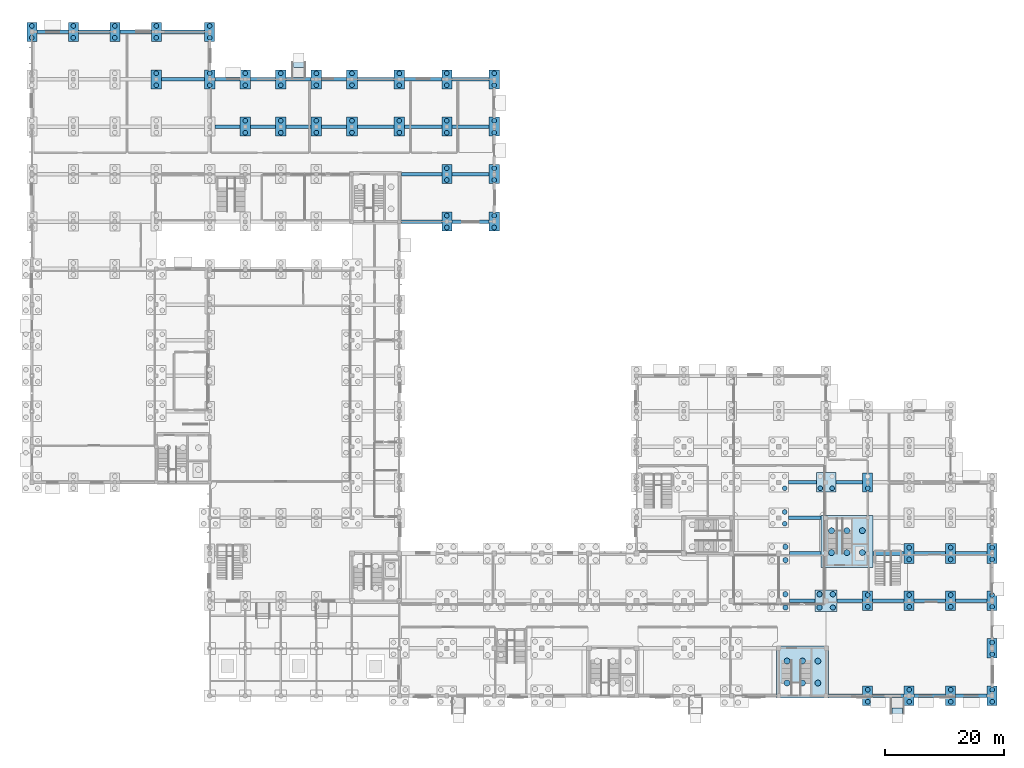
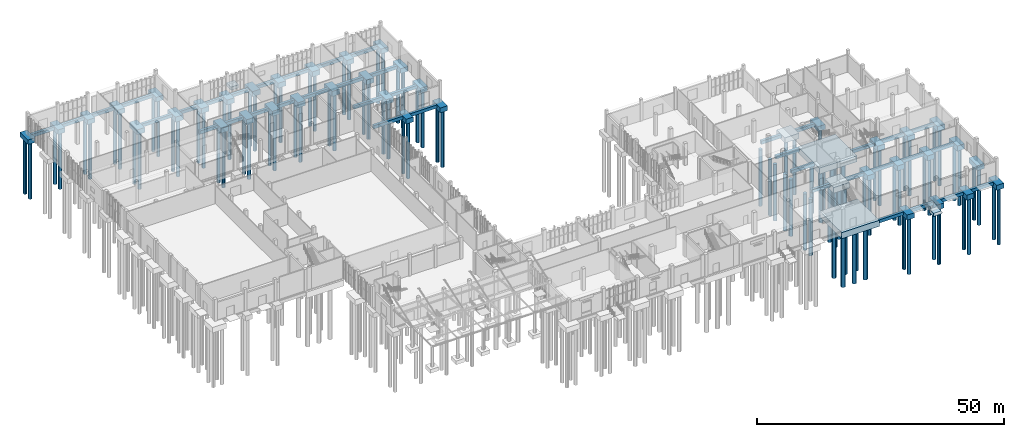
# One storey, part 4 of 69: 100 piles, 83 footings.
"""IFC4 building model written with IfcOpenShell, lengths in metres."""

import ifcopenshell
import ifcopenshell.guid

model = None  # the IFC model being written
_history = None  # IfcOwnerHistory: only IFC2X3 demands one
_inside = {}  # id of a spatial element -> (the spatial element, [elements in it])
_under = {}  # id of a project, library or spatial element -> (it, [spatial elements below it])
_declared = {}  # id of a project -> (the project, [libraries it declares])
_typed = {}  # id of a type object -> (the type object, [elements of that type])
_made_of = {}  # id of a material, layer set ... -> (it, [elements and type objects made of it])


def new_model(schema):
    """Start an empty IFC model of exactly this schema.

    Asked for "IFC4X3", IfcOpenShell would pick the latest addendum, in which some entities
    have other attributes; the version numbers below select the first issue.
    IFC2X3 requires an IfcOwnerHistory on every rooted entity: one is made here for all.
    """
    global model, _history
    if schema == "IFC4X3":
        model = ifcopenshell.file(schema_version=(4, 3, 0, 0))
    else:
        model = ifcopenshell.file(schema=schema)
    _inside.clear()
    _under.clear()
    _declared.clear()
    _typed.clear()
    _made_of.clear()
    _history = None
    if model.schema == "IFC2X3":
        org = make("IfcOrganization", Name="unknown")
        user = make(
            "IfcPersonAndOrganization",
            ThePerson=make("IfcPerson", FamilyName="unknown"),
            TheOrganization=org,
        )
        app = make(
            "IfcApplication",
            ApplicationDeveloper=org,
            Version="unknown",
            ApplicationFullName="unknown",
            ApplicationIdentifier="unknown",
        )
        _history = make(
            "IfcOwnerHistory",
            OwningUser=user,
            OwningApplication=app,
            ChangeAction="ADDED",
            CreationDate=0,
        )
    return model


def make(cls, **values):
    """One entity of the class cls with the attributes given. An attribute that is None is left unset."""
    return model.create_entity(
        cls, **{name: value for name, value in values.items() if value is not None}
    )


def rooted(cls, **values):
    """An entity with a GlobalId (a new one), such as an element, a storey or a relation."""
    return make(cls, GlobalId=ifcopenshell.guid.new(), OwnerHistory=_history, **values)


def si_unit(unit_type, name, prefix=None):
    """IfcSIUnit, for example si_unit("LENGTHUNIT", "METRE", prefix="MILLI")."""
    return make("IfcSIUnit", UnitType=unit_type, Prefix=prefix, Name=name)


def assignment(units):
    """IfcUnitAssignment: the units of a project."""
    return None if units is None else make("IfcUnitAssignment", Units=units)


def point(xyz):
    """IfcCartesianPoint."""
    return None if xyz is None else make("IfcCartesianPoint", Coordinates=xyz)


def direction(xyz):
    """IfcDirection."""
    return None if xyz is None else make("IfcDirection", DirectionRatios=xyz)


def frame(location, z_axis=None, x_axis=None):
    """IfcAxis2Placement3D, a coordinate frame: its origin and axes. An axis left out is left unset."""
    return make(
        "IfcAxis2Placement3D",
        Location=point(location),
        Axis=direction(z_axis),
        RefDirection=direction(x_axis),
    )


def frame_2d(location, x_axis=None):
    """IfcAxis2Placement2D, a coordinate frame in the plane: its origin and x axis."""
    return make(
        "IfcAxis2Placement2D", Location=point(location), RefDirection=direction(x_axis)
    )


def origin():
    """The frame at (0, 0, 0) with its axes left unset."""
    return frame((0.0, 0.0, 0.0))


def origin_2d():
    """The frame at (0, 0) in the plane with its x axis left unset."""
    return frame_2d((0.0, 0.0))


def place(relative_to, where):
    """IfcLocalPlacement: puts the frame where relative to a parent placement (None: the world)."""
    return make(
        "IfcLocalPlacement", PlacementRelTo=relative_to, RelativePlacement=where
    )


def context(
    kind, dimensions, precision=None, world=None, true_north=None, identifier=None
):
    """IfcGeometricRepresentationContext, for example the 3D "Model" context."""
    return make(
        "IfcGeometricRepresentationContext",
        ContextIdentifier=identifier,
        ContextType=kind,
        CoordinateSpaceDimension=dimensions,
        Precision=precision,
        WorldCoordinateSystem=world,
        TrueNorth=true_north,
    )


def subcontext(parent, identifier, kind, view, scale=None):
    """IfcGeometricRepresentationSubContext, for example "Body" below "Model"."""
    return make(
        "IfcGeometricRepresentationSubContext",
        ContextIdentifier=identifier,
        ContextType=kind,
        ParentContext=parent,
        TargetScale=scale,
        TargetView=view,
    )


def project(units=None, contexts=None):
    """IfcProject with its units and contexts."""
    return rooted(
        "IfcProject",
        Name="project",
        RepresentationContexts=contexts,
        UnitsInContext=assignment(units),
    )


def spatial(cls, under=None, at=None, **own):
    """A site, building, storey or space (cls), placed at a placement, below another one or the project."""
    s = rooted(cls, ObjectPlacement=at, **own)
    if under is not None:
        _under.setdefault(under.id(), (under, []))[1].append(s)
    return s


def profile(cls, at=None, kind="AREA", **sizes):
    """A parametric profile (cls). Its sizes go by their IFC names, for example OverallWidth=200.0."""
    return make(cls, ProfileType=kind, Position=at, **sizes)


def rectangle(**sizes):
    """IfcRectangleProfileDef."""
    return profile("IfcRectangleProfileDef", **sizes)


def circle(**sizes):
    """IfcCircleProfileDef."""
    return profile("IfcCircleProfileDef", **sizes)


def extrude(swept, where, along, depth):
    """IfcExtrudedAreaSolid: the profile swept, set in the frame where, extruded along a direction by depth."""
    return make(
        "IfcExtrudedAreaSolid",
        SweptArea=swept,
        Position=where,
        ExtrudedDirection=direction(along),
        Depth=depth,
    )


def shape(context_of_items, identifier, shape_type, items):
    """IfcShapeRepresentation: the items that make up one representation, for example the "Body"."""
    return make(
        "IfcShapeRepresentation",
        ContextOfItems=context_of_items,
        RepresentationIdentifier=identifier,
        RepresentationType=shape_type,
        Items=items,
    )


def material(Name=None, Category=None):
    """IfcMaterial."""
    return make("IfcMaterial", Name=Name, Category=Category)


def material_profile(
    of_material, cross_section, Name=None, Category=None, Priority=None
):
    """IfcMaterialProfile: a cross section and its material."""
    return make(
        "IfcMaterialProfile",
        Name=Name,
        Material=of_material,
        Profile=cross_section,
        Priority=Priority,
        Category=Category,
    )


def profile_set(profiles, Name=None, composite=None):
    """IfcMaterialProfileSet."""
    return make(
        "IfcMaterialProfileSet",
        Name=Name,
        MaterialProfiles=profiles,
        CompositeProfile=composite,
    )


def made_of(thing, what):
    """Note that an element or type object is made of a material, layer set ...; save() writes the relation."""
    if what is not None:
        _made_of.setdefault(what.id(), (what, []))[1].append(thing)
    return thing


def type_object(cls, material=None, **own):
    """A type object (cls), such as IfcWallType, which elements share."""
    return made_of(rooted(cls, **own), material)


def element(
    cls,
    number,
    at=None,
    inside=None,
    cuts=None,
    type_object=None,
    material=None,
    context=None,
    identifier="Body",
    shape_type=None,
    held_by="IfcProductDefinitionShape",
    body=None,
    shapes=None,
    **own,
):
    """One element of the class cls, such as IfcWall. Its Tag is "e" and its number.

    at: its placement. inside: the storey or other place that contains it. cuts: it is an
    opening in that element (IfcRelVoidsElement). A single representation is given by context,
    identifier, shape_type and body (its items); several are given by shapes. held_by: the class
    of the entity that holds the representations. save() writes the other relations.
    """
    e = rooted(cls, Tag="e%d" % number, ObjectPlacement=at, **own)
    if body is not None:
        shapes = [shape(context, identifier, shape_type, body)]
    if shapes is not None:
        e.Representation = make(held_by, Representations=shapes)
    if inside is not None:
        _inside.setdefault(inside.id(), (inside, []))[1].append(e)
    if cuts is not None:
        rooted(
            "IfcRelVoidsElement", RelatingBuildingElement=cuts, RelatedOpeningElement=e
        )
    if type_object is not None:
        _typed.setdefault(type_object.id(), (type_object, []))[1].append(e)
    return made_of(e, material)


def aggregate(whole, parts):
    """IfcRelAggregates: a whole, such as a stair, and the parts it consists of."""
    return rooted("IfcRelAggregates", RelatingObject=whole, RelatedObjects=parts)


def save(model, path):
    """Write the relations noted so far, then the file.

    IfcRelAggregates (storeys below a building ...), IfcRelContainedInSpatialStructure (elements
    in a storey), IfcRelDefinesByType, IfcRelAssociatesMaterial and IfcRelDeclares: one each for
    every whole, place, type object, material and project.
    """
    for whole, parts in _under.values():
        aggregate(whole, parts)
    for where, things in _inside.values():
        rooted(
            "IfcRelContainedInSpatialStructure",
            RelatedElements=things,
            RelatingStructure=where,
        )
    for kind, things in _typed.values():
        rooted("IfcRelDefinesByType", RelatedObjects=things, RelatingType=kind)
    for what, things in _made_of.values():
        rooted("IfcRelAssociatesMaterial", RelatedObjects=things, RelatingMaterial=what)
    for by, libraries in _declared.values():
        rooted("IfcRelDeclares", RelatingContext=by, RelatedDefinitions=libraries)
    model.write(path)


model = new_model("IFC4")

# Units and contexts
model_context = context("Model", 3, precision=1e-05, world=origin(), true_north=direction((0.0, 1.0)))
body_context = subcontext(model_context, "Body", "Model", "MODEL_VIEW")
ifc_project = project(units=[si_unit("LENGTHUNIT", "METRE"), si_unit("AREAUNIT", "SQUARE_METRE"), si_unit("VOLUMEUNIT", "CUBIC_METRE"), si_unit("PLANEANGLEUNIT", "RADIAN"), si_unit("MASSUNIT", "GRAM", prefix="KILO")], contexts=[model_context])

# Site, building, storey
site_placement = place(None, origin())
site = spatial("IfcSite", under=ifc_project, at=site_placement, CompositionType="ELEMENT")
building_placement = place(site_placement, origin())
building = spatial("IfcBuilding", under=site, at=building_placement, Name="Solvane Community Centre", CompositionType="ELEMENT")
storey_placement = place(building_placement, origin())
storey = spatial("IfcBuildingStorey", under=building, at=storey_placement, Name="L00", CompositionType="ELEMENT", Elevation=0.0)

# Piles
ifc_material = material(Name="Concrete C28/35", Category="concrete")
ifc_material_profile_1 = material_profile(ifc_material, circle(Radius=0.5, at=origin_2d()), Name="PILE D1000")
ifc_profile_set_1 = profile_set([ifc_material_profile_1], Name="Concrete C28/35")
pile_type_1 = type_object("IfcPileType", Name="Bored Saprolite Pile D1000", PredefinedType="BORED", material=ifc_profile_set_1)
for number, where, z_axis, x_axis, name in (
    (1, (133.39990234375, 8.14990234375, -1.679931640625), (0.0, 0.0, -1.0), (1.0, 0.0, 0.0), "Bored Pile PILE-C3-11"),
    (2, (133.39990234375, 11.85009765625, -1.679931640625), (0.0, 0.0, -1.0), (1.0, 0.0, 0.0), "Bored Pile PILE-C3-12"),
    (3, (136.0, 8.14990234375, -1.679931640625), (0.0, 0.0, -1.0), (1.0, 0.0, 0.0), "Bored Pile PILE-C3-21"),
    (4, (136.0, 11.85009765625, -1.679931640625), (0.0, 0.0, -1.0), (1.0, 0.0, 0.0), "Bored Pile PILE-C3-22"),
    (5, (138.60009765625, 8.14990234375, -1.679931640625), (0.0, 0.0, -1.0), (1.0, 0.0, 0.0), "Bored Pile PILE-C3-31"),
    (6, (138.60009765625, 11.85009765625, -1.679931640625), (0.0, 0.0, -1.0), (1.0, 0.0, 0.0), "Bored Pile PILE-C3-32"),
    (7, (140.89990234375, 30.14990234375, -1.679931640625), (0.0, 0.0, -1.0), (1.0, 0.0, 0.0), "Bored Pile PILE-C6-11"),
    (8, (140.89990234375, 33.85009765625, -1.679931640625), (0.0, 0.0, -1.0), (1.0, 0.0, 0.0), "Bored Pile PILE-C6-12"),
    (9, (143.5, 30.14990234375, -1.679931640625), (0.0, 0.0, -1.0), (1.0, 0.0, 0.0), "Bored Pile PILE-C6-21"),
    (10, (143.5, 33.85009765625, -1.679931640625), (0.0, 0.0, -1.0), (1.0, 0.0, 0.0), "Bored Pile PILE-C6-22"),
    (11, (146.10009765625, 30.14990234375, -1.679931640625), (0.0, 0.0, -1.0), (1.0, 0.0, 0.0), "Bored Pile PILE-C6-31"),
    (12, (146.10009765625, 33.85009765625, -1.679931640625), (0.0, 0.0, -1.0), (1.0, 0.0, 0.0), "Bored Pile PILE-C6-32"),
):
    element("IfcPile", number, at=place(storey_placement, frame(where, z_axis=z_axis, x_axis=x_axis)), inside=storey, type_object=pile_type_1, Name=name, PredefinedType="BORED", context=body_context, shape_type="SweptSolid", body=[
        extrude(circle(Radius=0.5, at=origin_2d()), origin(), (0.0, 0.0, 1.0), 14.0),
    ])
ifc_material_profile_2 = material_profile(ifc_material, circle(Radius=0.39990234375, at=origin_2d()), Name="PILE D800")
ifc_profile_set_2 = profile_set([ifc_material_profile_2], Name="Concrete C28/35")
pile_type_2 = type_object("IfcPileType", Name="Bored Saprolite Pile D800", PredefinedType="BORED", material=ifc_profile_set_2)
for number, where, z_axis, x_axis, name in (
    (13, (6.0, 117.0, -1.330078125), (0.0, 0.0, -1.0), (1.0, 0.0, 0.0), "Bored Pile PILE-1-S-1"),
    (14, (6.0, 119.0, -1.330078125), (0.0, 0.0, -1.0), (1.0, 0.0, 0.0), "Bored Pile PILE-1-S-2"),
    (15, (13.0, 117.0, -1.330078125), (0.0, 0.0, -1.0), (1.0, 0.0, 0.0), "Bored Pile PILE-2-S-1"),
    (16, (13.0, 119.0, -1.330078125), (0.0, 0.0, -1.0), (1.0, 0.0, 0.0), "Bored Pile PILE-2-S-2"),
    (17, (20.0, 117.0, -1.330078125), (0.0, 0.0, -1.0), (1.0, 0.0, 0.0), "Bored Pile PILE-4-S-1"),
    (18, (20.0, 119.0, -1.330078125), (0.0, 0.0, -1.0), (1.0, 0.0, 0.0), "Bored Pile PILE-4-S-2"),
    (19, (27.0, 109.0, -1.429931640625), (0.0, 0.0, -1.0), (1.0, 0.0, 0.0), "Bored Pile PILE-5-R-1"),
    (20, (27.0, 111.0, -1.429931640625), (0.0, 0.0, -1.0), (1.0, 0.0, 0.0), "Bored Pile PILE-5-R-2"),
    (21, (27.0, 117.0, -1.330078125), (0.0, 0.0, -1.0), (1.0, 0.0, 0.0), "Bored Pile PILE-5-S-1"),
    (22, (27.0, 119.0, -1.330078125), (0.0, 0.0, -1.0), (1.0, 0.0, 0.0), "Bored Pile PILE-5-S-2"),
    (23, (36.0, 109.0, -1.429931640625), (0.0, 0.0, -1.0), (1.0, 0.0, 0.0), "Bored Pile PILE-6-R-1"),
    (24, (36.0, 111.0, -1.429931640625), (0.0, 0.0, -1.0), (1.0, 0.0, 0.0), "Bored Pile PILE-6-R-2"),
    (25, (36.0, 117.0, -1.330078125), (0.0, 0.0, -1.0), (1.0, 0.0, 0.0), "Bored Pile PILE-6-S-1"),
    (26, (36.0, 119.0, -1.330078125), (0.0, 0.0, -1.0), (1.0, 0.0, 0.0), "Bored Pile PILE-6-S-2"),
    (27, (42.0, 101.0, -1.429931640625), (0.0, 0.0, -1.0), (1.0, 0.0, 0.0), "Bored Pile PILE-7-Q-1"),
    (28, (42.0, 103.0, -1.429931640625), (0.0, 0.0, -1.0), (1.0, 0.0, 0.0), "Bored Pile PILE-7-Q-2"),
    (29, (42.0, 109.0, -1.429931640625), (0.0, 0.0, -1.0), (1.0, 0.0, 0.0), "Bored Pile PILE-7-R-1"),
    (30, (42.0, 111.0, -1.429931640625), (0.0, 0.0, -1.0), (1.0, 0.0, 0.0), "Bored Pile PILE-7-R-2"),
    (31, (48.0, 101.0, -1.429931640625), (0.0, 0.0, -1.0), (1.0, 0.0, 0.0), "Bored Pile PILE-8-Q-1"),
    (32, (48.0, 103.0, -1.429931640625), (0.0, 0.0, -1.0), (1.0, 0.0, 0.0), "Bored Pile PILE-8-Q-2"),
    (33, (48.0, 109.0, -1.429931640625), (0.0, 0.0, -1.0), (1.0, 0.0, 0.0), "Bored Pile PILE-8-R-1"),
    (34, (48.0, 111.0, -1.429931640625), (0.0, 0.0, -1.0), (1.0, 0.0, 0.0), "Bored Pile PILE-8-R-2"),
    (35, (54.0, 101.0, -1.429931640625), (0.0, 0.0, -1.0), (1.0, 0.0, 0.0), "Bored Pile PILE-9-Q-1"),
    (36, (54.0, 103.0, -1.429931640625), (0.0, 0.0, -1.0), (1.0, 0.0, 0.0), "Bored Pile PILE-9-Q-2"),
    (37, (54.0, 109.0, -1.429931640625), (0.0, 0.0, -1.0), (1.0, 0.0, 0.0), "Bored Pile PILE-9-R-1"),
    (38, (54.0, 111.0, -1.429931640625), (0.0, 0.0, -1.0), (1.0, 0.0, 0.0), "Bored Pile PILE-9-R-2"),
    (39, (60.0, 101.0, -1.429931640625), (0.0, 0.0, -1.0), (1.0, 0.0, 0.0), "Bored Pile PILE-10-Q-1"),
    (40, (60.0, 103.0, -1.429931640625), (0.0, 0.0, -1.0), (1.0, 0.0, 0.0), "Bored Pile PILE-10-Q-2"),
    (41, (60.0, 109.0, -1.429931640625), (0.0, 0.0, -1.0), (1.0, 0.0, 0.0), "Bored Pile PILE-10-R-1"),
    (42, (60.0, 111.0, -1.429931640625), (0.0, 0.0, -1.0), (1.0, 0.0, 0.0), "Bored Pile PILE-10-R-2"),
    (43, (68.0, 101.0, -1.429931640625), (0.0, 0.0, -1.0), (1.0, 0.0, 0.0), "Bored Pile PILE-11-Q-1"),
    (44, (68.0, 103.0, -1.429931640625), (0.0, 0.0, -1.0), (1.0, 0.0, 0.0), "Bored Pile PILE-11-Q-2"),
    (45, (68.0, 109.0, -1.429931640625), (0.0, 0.0, -1.0), (1.0, 0.0, 0.0), "Bored Pile PILE-11-R-1"),
    (46, (68.0, 111.0, -1.429931640625), (0.0, 0.0, -1.0), (1.0, 0.0, 0.0), "Bored Pile PILE-11-R-2"),
    (47, (76.0, 85.0, -1.3798828125), (0.0, 0.0, -1.0), (1.0, 0.0, 0.0), "Bored Pile PILE-12-N-1"),
    (48, (76.0, 87.0, -1.3798828125), (0.0, 0.0, -1.0), (1.0, 0.0, 0.0), "Bored Pile PILE-12-N-2"),
    (49, (76.0, 93.0, -1.3798828125), (0.0, 0.0, -1.0), (1.0, 0.0, 0.0), "Bored Pile PILE-12-P-1"),
    (50, (76.0, 95.0, -1.3798828125), (0.0, 0.0, -1.0), (1.0, 0.0, 0.0), "Bored Pile PILE-12-P-2"),
    (51, (76.0, 101.0, -1.3798828125), (0.0, 0.0, -1.0), (1.0, 0.0, 0.0), "Bored Pile PILE-12-Q-1"),
    (52, (76.0, 103.0, -1.3798828125), (0.0, 0.0, -1.0), (1.0, 0.0, 0.0), "Bored Pile PILE-12-Q-2"),
    (53, (76.0, 109.0, -1.3798828125), (0.0, 0.0, -1.0), (1.0, 0.0, 0.0), "Bored Pile PILE-12-R-1"),
    (54, (76.0, 111.0, -1.3798828125), (0.0, 0.0, -1.0), (1.0, 0.0, 0.0), "Bored Pile PILE-12-R-2"),
    (55, (84.0, 85.0, -1.3798828125), (0.0, 0.0, -1.0), (1.0, 0.0, 0.0), "Bored Pile PILE-13-N-1"),
    (56, (84.0, 87.0, -1.3798828125), (0.0, 0.0, -1.0), (1.0, 0.0, 0.0), "Bored Pile PILE-13-N-2"),
    (57, (84.0, 93.0, -1.3798828125), (0.0, 0.0, -1.0), (1.0, 0.0, 0.0), "Bored Pile PILE-13-P-1"),
    (58, (84.0, 95.0, -1.3798828125), (0.0, 0.0, -1.0), (1.0, 0.0, 0.0), "Bored Pile PILE-13-P-2"),
    (59, (84.0, 101.0, -1.3798828125), (0.0, 0.0, -1.0), (1.0, 0.0, 0.0), "Bored Pile PILE-13-Q-1"),
    (60, (84.0, 103.0, -1.3798828125), (0.0, 0.0, -1.0), (1.0, 0.0, 0.0), "Bored Pile PILE-13-Q-2"),
    (61, (84.0, 109.0, -1.3798828125), (0.0, 0.0, -1.0), (1.0, 0.0, 0.0), "Bored Pile PILE-13-R-1"),
    (62, (84.0, 111.0, -1.3798828125), (0.0, 0.0, -1.0), (1.0, 0.0, 0.0), "Bored Pile PILE-13-R-2"),
    (63, (133.0, 35.0, -1.47998046875), (0.0, 0.0, -1.0), (1.0, 0.0, 0.0), "Bored Pile PILE-19-E-2"),
    (64, (133.0, 37.0, -1.47998046875), (0.0, 0.0, -1.0), (1.0, 0.0, 0.0), "Bored Pile PILE-19-E-4"),
    (65, (133.0, 41.0, -1.47998046875), (0.0, 0.0, -1.0), (1.0, 0.0, 0.0), "Bored Pile PILE-19-F-2"),
    (66, (139.0, 41.0, -1.47998046875), (0.0, 0.0, -1.0), (1.0, 0.0, 0.0), "Bored Pile PILE-20-F-1"),
    (67, (141.0, 41.0, -1.47998046875), (0.0, 0.0, -1.0), (1.0, 0.0, 0.0), "Bored Pile PILE-20-F-2"),
    (68, (147.0, 5.0, -1.429931640625), (0.0, 0.0, -1.0), (1.0, 0.0, 0.0), "Bored Pile PILE-21-A-1"),
    (69, (147.0, 7.0, -1.429931640625), (0.0, 0.0, -1.0), (1.0, 0.0, 0.0), "Bored Pile PILE-21-A-2"),
    (70, (147.0, 21.0, -1.429931640625), (0.0, 0.0, -1.0), (1.0, 0.0, 0.0), "Bored Pile PILE-21-C-1"),
    (71, (147.0, 23.0, -1.429931640625), (0.0, 0.0, -1.0), (1.0, 0.0, 0.0), "Bored Pile PILE-21-C-2"),
    (72, (147.0, 41.0, -1.3798828125), (0.0, 0.0, -1.0), (1.0, 0.0, 0.0), "Bored Pile PILE-21-F-1"),
    (73, (154.0, 5.0, -1.429931640625), (0.0, 0.0, -1.0), (1.0, 0.0, 0.0), "Bored Pile PILE-22-A-1"),
    (74, (154.0, 7.0, -1.429931640625), (0.0, 0.0, -1.0), (1.0, 0.0, 0.0), "Bored Pile PILE-22-A-2"),
    (75, (154.0, 21.0, -1.429931640625), (0.0, 0.0, -1.0), (1.0, 0.0, 0.0), "Bored Pile PILE-22-C-1"),
    (76, (154.0, 23.0, -1.429931640625), (0.0, 0.0, -1.0), (1.0, 0.0, 0.0), "Bored Pile PILE-22-C-2"),
    (77, (154.0, 29.0, -1.429931640625), (0.0, 0.0, -1.0), (1.0, 0.0, 0.0), "Bored Pile PILE-22-D-1"),
    (78, (154.0, 31.0, -1.429931640625), (0.0, 0.0, -1.0), (1.0, 0.0, 0.0), "Bored Pile PILE-22-D-2"),
    (79, (161.0, 5.0, -1.429931640625), (0.0, 0.0, -1.0), (1.0, 0.0, 0.0), "Bored Pile PILE-23-A-1"),
    (80, (161.0, 7.0, -1.429931640625), (0.0, 0.0, -1.0), (1.0, 0.0, 0.0), "Bored Pile PILE-23-A-2"),
    (81, (161.0, 21.0, -1.429931640625), (0.0, 0.0, -1.0), (1.0, 0.0, 0.0), "Bored Pile PILE-23-C-1"),
    (82, (161.0, 23.0, -1.429931640625), (0.0, 0.0, -1.0), (1.0, 0.0, 0.0), "Bored Pile PILE-23-C-2"),
    (83, (161.0, 29.0, -1.429931640625), (0.0, 0.0, -1.0), (1.0, 0.0, 0.0), "Bored Pile PILE-23-D-1"),
    (84, (161.0, 31.0, -1.429931640625), (0.0, 0.0, -1.0), (1.0, 0.0, 0.0), "Bored Pile PILE-23-D-2"),
    (85, (168.0, 5.0, -1.429931640625), (0.0, 0.0, -1.0), (1.0, 0.0, 0.0), "Bored Pile PILE-24-A-1"),
    (86, (168.0, 7.0, -1.429931640625), (0.0, 0.0, -1.0), (1.0, 0.0, 0.0), "Bored Pile PILE-24-A-2"),
    (87, (168.0, 13.0, -1.429931640625), (0.0, 0.0, -1.0), (1.0, 0.0, 0.0), "Bored Pile PILE-24-B-1"),
    (88, (168.0, 15.0, -1.429931640625), (0.0, 0.0, -1.0), (1.0, 0.0, 0.0), "Bored Pile PILE-24-B-2"),
    (89, (168.0, 21.0, -1.429931640625), (0.0, 0.0, -1.0), (1.0, 0.0, 0.0), "Bored Pile PILE-24-C-1"),
    (90, (168.0, 23.0, -1.429931640625), (0.0, 0.0, -1.0), (1.0, 0.0, 0.0), "Bored Pile PILE-24-C-2"),
    (91, (168.0, 29.0, -1.429931640625), (0.0, 0.0, -1.0), (1.0, 0.0, 0.0), "Bored Pile PILE-24-D-1"),
    (92, (168.0, 31.0, -1.429931640625), (0.0, 0.0, -1.0), (1.0, 0.0, 0.0), "Bored Pile PILE-24-D-2"),
):
    element("IfcPile", number, at=place(storey_placement, frame(where, z_axis=z_axis, x_axis=x_axis)), inside=storey, type_object=pile_type_2, Name=name, PredefinedType="BORED", context=body_context, shape_type="SweptSolid", body=[
        extrude(circle(Radius=0.39990234375, at=origin_2d()), origin(), (0.0, 0.0, 1.0), 14.0),
    ])
ifc_material_profile_3 = material_profile(ifc_material, circle(Radius=0.449951171875, at=origin_2d()), Name="PILE D900")
ifc_profile_set_3 = profile_set([ifc_material_profile_3], Name="Concrete C28/35")
pile_type_3 = type_object("IfcPileType", Name="Bored Saprolite Pile D900", PredefinedType="BORED", material=ifc_profile_set_3)
for number, where, z_axis, x_axis, name in (
    (93, (133.125, 20.875, -1.580078125), (0.0, 0.0, -1.0), (1.0, 0.0, 0.0), "Bored Pile PILE-19-C-2"),
    (94, (133.125, 23.125, -1.580078125), (0.0, 0.0, -1.0), (1.0, 0.0, 0.0), "Bored Pile PILE-19-C-4"),
    (95, (133.125, 28.875, -1.580078125), (0.0, 0.0, -1.0), (1.0, 0.0, 0.0), "Bored Pile PILE-19-D-2"),
    (96, (133.125, 31.125, -1.580078125), (0.0, 0.0, -1.0), (1.0, 0.0, 0.0), "Bored Pile PILE-19-D-4"),
    (97, (138.875, 20.875, -1.580078125), (0.0, 0.0, -1.0), (1.0, 0.0, 0.0), "Bored Pile PILE-20-C-1"),
    (98, (141.125, 20.875, -1.580078125), (0.0, 0.0, -1.0), (1.0, 0.0, 0.0), "Bored Pile PILE-20-C-2"),
    (99, (138.875, 23.125, -1.580078125), (0.0, 0.0, -1.0), (1.0, 0.0, 0.0), "Bored Pile PILE-20-C-3"),
    (100, (141.125, 23.125, -1.580078125), (0.0, 0.0, -1.0), (1.0, 0.0, 0.0), "Bored Pile PILE-20-C-4"),
):
    element("IfcPile", number, at=place(storey_placement, frame(where, z_axis=z_axis, x_axis=x_axis)), inside=storey, type_object=pile_type_3, Name=name, PredefinedType="BORED", context=body_context, shape_type="SweptSolid", body=[
        extrude(circle(Radius=0.449951171875, at=origin_2d()), origin(), (0.0, 0.0, 1.0), 14.0),
    ])

# Footings
footing_type_1 = type_object("IfcFootingType", Name="Cloister Pad Footing PF2 1800x1800x800", PredefinedType="PAD_FOOTING", material=ifc_material)
for number, where, z_axis, x_axis, name in (
    (101, (152.0, 3.0, -1.0400390625), (0.0, 0.0, 1.0), (1.0, 0.0, 0.0), "Ramp Support Footing FTG-RMP-05-BOT"),
    (102, (51.0, 112.85009765625, -1.0400390625), (0.0, 0.0, 1.0), (1.0, 0.0, 0.0), "Ramp Support Footing FTG-RMP-06-BOT"),
):
    element("IfcFooting", number, at=place(storey_placement, frame(where, z_axis=z_axis, x_axis=x_axis)), inside=storey, type_object=footing_type_1, Name=name, PredefinedType="PAD_FOOTING", context=body_context, shape_type="SweptSolid", body=[
        extrude(rectangle(XDim=1.800048828125, YDim=1.800048828125, at=origin_2d()), origin(), (0.0, 0.0, 1.0), 0.800048828125),
    ])
footing_type_2 = type_object("IfcFootingType", Name="Core Mat Cap MC1 8800x8800x1500", PredefinedType="PILE_CAP", material=ifc_material)
for number, where, z_axis, x_axis, name in (
    (103, (136.0, 10.0, -1.780029296875), (0.0, 0.0, 1.0), (1.0, 0.0, 0.0), "Core Pile Cap C3"),
    (104, (143.5, 32.0, -1.780029296875), (0.0, 0.0, 1.0), (1.0, 0.0, 0.0), "Core Pile Cap C6"),
):
    element("IfcFooting", number, at=place(storey_placement, frame(where, z_axis=z_axis, x_axis=x_axis)), inside=storey, type_object=footing_type_2, Name=name, PredefinedType="PILE_CAP", context=body_context, shape_type="SweptSolid", body=[
        extrude(rectangle(XDim=8.800048828125, YDim=8.800048828125, at=origin_2d()), origin(), (0.0, 0.0, 1.0), 1.5),
    ])
footing_type_3 = type_object("IfcFootingType", Name="Pile Cap 170x320x115cm", PredefinedType="PILE_CAP", material=ifc_material)
for number, where, z_axis, x_axis, name in (
    (105, (6.0, 118.0, -1.429931640625), (0.0, 0.0, 1.0), (1.0, 0.0, 0.0), "Pile Cap 1S"),
    (106, (13.0, 118.0, -1.429931640625), (0.0, 0.0, 1.0), (1.0, 0.0, 0.0), "Pile Cap 2S"),
    (107, (20.0, 118.0, -1.429931640625), (0.0, 0.0, 1.0), (1.0, 0.0, 0.0), "Pile Cap 4S"),
    (108, (27.0, 118.0, -1.429931640625), (0.0, 0.0, 1.0), (1.0, 0.0, 0.0), "Pile Cap 5S"),
    (109, (36.0, 118.0, -1.429931640625), (0.0, 0.0, 1.0), (1.0, 0.0, 0.0), "Pile Cap 6S"),
):
    element("IfcFooting", number, at=place(storey_placement, frame(where, z_axis=z_axis, x_axis=x_axis)), inside=storey, type_object=footing_type_3, Name=name, PredefinedType="PILE_CAP", context=body_context, shape_type="SweptSolid", body=[
        extrude(rectangle(XDim=1.699951171875, YDim=3.199951171875, at=origin_2d()), origin(), (0.0, 0.0, 1.0), 1.14990234375),
    ])
footing_type_4 = type_object("IfcFootingType", Name="Pile Cap 170x320x120cm", PredefinedType="PILE_CAP", material=ifc_material)
for number, where, z_axis, x_axis, name in (
    (110, (76.0, 86.0, -1.47998046875), (0.0, 0.0, 1.0), (1.0, 0.0, 0.0), "Pile Cap 12N"),
    (111, (76.0, 94.0, -1.47998046875), (0.0, 0.0, 1.0), (1.0, 0.0, 0.0), "Pile Cap 12P"),
    (112, (76.0, 102.0, -1.47998046875), (0.0, 0.0, 1.0), (1.0, 0.0, 0.0), "Pile Cap 12Q"),
    (113, (76.0, 110.0, -1.47998046875), (0.0, 0.0, 1.0), (1.0, 0.0, 0.0), "Pile Cap 12R"),
    (114, (84.0, 86.0, -1.47998046875), (0.0, 0.0, 1.0), (1.0, 0.0, 0.0), "Pile Cap 13N"),
    (115, (84.0, 94.0, -1.47998046875), (0.0, 0.0, 1.0), (1.0, 0.0, 0.0), "Pile Cap 13P"),
    (116, (84.0, 102.0, -1.47998046875), (0.0, 0.0, 1.0), (1.0, 0.0, 0.0), "Pile Cap 13Q"),
    (117, (84.0, 110.0, -1.47998046875), (0.0, 0.0, 1.0), (1.0, 0.0, 0.0), "Pile Cap 13R"),
    (118, (147.0, 42.0, -1.47998046875), (0.0, 0.0, 1.0), (1.0, 0.0, 0.0), "Pile Cap 21F"),
):
    element("IfcFooting", number, at=place(storey_placement, frame(where, z_axis=z_axis, x_axis=x_axis)), inside=storey, type_object=footing_type_4, Name=name, PredefinedType="PILE_CAP", context=body_context, shape_type="SweptSolid", body=[
        extrude(rectangle(XDim=1.699951171875, YDim=3.199951171875, at=origin_2d()), origin(), (0.0, 0.0, 1.0), 1.199951171875),
    ])
footing_type_5 = type_object("IfcFootingType", Name="Pile Cap 170x330x125cm", PredefinedType="PILE_CAP", material=ifc_material)
for number, where, z_axis, x_axis, name in (
    (119, (147.0, 6.0, -1.530029296875), (0.0, 0.0, 1.0), (1.0, 0.0, 0.0), "Pile Cap 21A"),
    (120, (147.0, 22.0, -1.530029296875), (0.0, 0.0, 1.0), (1.0, 0.0, 0.0), "Pile Cap 21C"),
    (121, (154.0, 6.0, -1.530029296875), (0.0, 0.0, 1.0), (1.0, 0.0, 0.0), "Pile Cap 22A"),
    (122, (154.0, 22.0, -1.530029296875), (0.0, 0.0, 1.0), (1.0, 0.0, 0.0), "Pile Cap 22C"),
    (123, (154.0, 30.0, -1.530029296875), (0.0, 0.0, 1.0), (1.0, 0.0, 0.0), "Pile Cap 22D"),
    (124, (161.0, 6.0, -1.530029296875), (0.0, 0.0, 1.0), (1.0, 0.0, 0.0), "Pile Cap 23A"),
    (125, (161.0, 22.0, -1.530029296875), (0.0, 0.0, 1.0), (1.0, 0.0, 0.0), "Pile Cap 23C"),
    (126, (161.0, 30.0, -1.530029296875), (0.0, 0.0, 1.0), (1.0, 0.0, 0.0), "Pile Cap 23D"),
    (127, (168.0, 6.0, -1.530029296875), (0.0, 0.0, 1.0), (1.0, 0.0, 0.0), "Pile Cap 24A"),
    (128, (168.0, 14.0, -1.530029296875), (0.0, 0.0, 1.0), (1.0, 0.0, 0.0), "Pile Cap 24B"),
    (129, (168.0, 22.0, -1.530029296875), (0.0, 0.0, 1.0), (1.0, 0.0, 0.0), "Pile Cap 24C"),
    (130, (168.0, 30.0, -1.530029296875), (0.0, 0.0, 1.0), (1.0, 0.0, 0.0), "Pile Cap 24D"),
):
    element("IfcFooting", number, at=place(storey_placement, frame(where, z_axis=z_axis, x_axis=x_axis)), inside=storey, type_object=footing_type_5, Name=name, PredefinedType="PILE_CAP", context=body_context, shape_type="SweptSolid", body=[
        extrude(rectangle(XDim=1.699951171875, YDim=3.300048828125, at=origin_2d()), origin(), (0.0, 0.0, 1.0), 1.25),
    ])
footing_type_6 = type_object("IfcFootingType", Name="Pile Cap 180x320x125cm", PredefinedType="PILE_CAP", material=ifc_material)
for number, where, z_axis, x_axis, name in (
    (131, (27.0, 110.0, -1.530029296875), (0.0, 0.0, 1.0), (1.0, 0.0, 0.0), "Pile Cap 5R"),
    (132, (36.0, 110.0, -1.530029296875), (0.0, 0.0, 1.0), (1.0, 0.0, 0.0), "Pile Cap 6R"),
    (133, (42.0, 102.0, -1.530029296875), (0.0, 0.0, 1.0), (1.0, 0.0, 0.0), "Pile Cap 7Q"),
    (134, (42.0, 110.0, -1.530029296875), (0.0, 0.0, 1.0), (1.0, 0.0, 0.0), "Pile Cap 7R"),
    (135, (48.0, 102.0, -1.530029296875), (0.0, 0.0, 1.0), (1.0, 0.0, 0.0), "Pile Cap 8Q"),
    (136, (48.0, 110.0, -1.530029296875), (0.0, 0.0, 1.0), (1.0, 0.0, 0.0), "Pile Cap 8R"),
    (137, (54.0, 102.0, -1.530029296875), (0.0, 0.0, 1.0), (1.0, 0.0, 0.0), "Pile Cap 9Q"),
    (138, (54.0, 110.0, -1.530029296875), (0.0, 0.0, 1.0), (1.0, 0.0, 0.0), "Pile Cap 9R"),
    (139, (60.0, 102.0, -1.530029296875), (0.0, 0.0, 1.0), (1.0, 0.0, 0.0), "Pile Cap 10Q"),
    (140, (60.0, 110.0, -1.530029296875), (0.0, 0.0, 1.0), (1.0, 0.0, 0.0), "Pile Cap 10R"),
    (141, (68.0, 102.0, -1.530029296875), (0.0, 0.0, 1.0), (1.0, 0.0, 0.0), "Pile Cap 11Q"),
    (142, (68.0, 110.0, -1.530029296875), (0.0, 0.0, 1.0), (1.0, 0.0, 0.0), "Pile Cap 11R"),
):
    element("IfcFooting", number, at=place(storey_placement, frame(where, z_axis=z_axis, x_axis=x_axis)), inside=storey, type_object=footing_type_6, Name=name, PredefinedType="PILE_CAP", context=body_context, shape_type="SweptSolid", body=[
        extrude(rectangle(XDim=1.800048828125, YDim=3.199951171875, at=origin_2d()), origin(), (0.0, 0.0, 1.0), 1.25),
    ])
footing_type_7 = type_object("IfcFootingType", Name="Pile Cap 330x330x130cm", PredefinedType="PILE_CAP", material=ifc_material)
footing_1_placement = place(storey_placement, frame((140.0, 42.0, -1.580078125), z_axis=(0.0, 0.0, 1.0), x_axis=(1.0, 0.0, 0.0)))
element("IfcFooting", 143, at=footing_1_placement, inside=storey, type_object=footing_type_7, Name="Pile Cap 20F", PredefinedType="PILE_CAP", context=body_context, shape_type="SweptSolid", body=[
    extrude(rectangle(XDim=3.300048828125, YDim=3.300048828125, at=origin_2d()), origin(), (0.0, 0.0, 1.0), 1.300048828125),
])
footing_type_8 = type_object("IfcFootingType", Name="Pile Cap 370x360x140cm", PredefinedType="PILE_CAP", material=ifc_material)
footing_2_placement = place(storey_placement, frame((140.0, 22.0, -1.679931640625), z_axis=(0.0, 0.0, 1.0), x_axis=(1.0, 0.0, 0.0)))
element("IfcFooting", 144, at=footing_2_placement, inside=storey, type_object=footing_type_8, Name="Pile Cap 20C", PredefinedType="PILE_CAP", context=body_context, shape_type="SweptSolid", body=[
    extrude(rectangle(XDim=3.699951171875, YDim=3.60009765625, at=origin_2d()), origin(), (0.0, 0.0, 1.0), 1.39990234375),
])
footing_type_9 = type_object("IfcFootingType", Name="Seismic Ground Tie Beam 600x800 L42dm", PredefinedType="FOOTING_BEAM", material=ifc_material)
for number, where, z_axis, x_axis, name in (
    (145, (39.0, 102.0, -1.080078125), (0.0, 0.0, 1.0), (1.0, 0.0, 0.0), "Ground Tie Beam FTG-GTB-X-131"),
    (146, (45.0, 102.0, -1.080078125), (0.0, 0.0, 1.0), (1.0, 0.0, 0.0), "Ground Tie Beam FTG-GTB-X-132"),
    (147, (51.0, 102.0, -1.080078125), (0.0, 0.0, 1.0), (1.0, 0.0, 0.0), "Ground Tie Beam FTG-GTB-X-133"),
    (148, (57.0, 102.0, -1.080078125), (0.0, 0.0, 1.0), (1.0, 0.0, 0.0), "Ground Tie Beam FTG-GTB-X-134"),
    (149, (39.0, 110.0, -1.080078125), (0.0, 0.0, 1.0), (1.0, 0.0, 0.0), "Ground Tie Beam FTG-GTB-X-142"),
    (150, (45.0, 110.0, -1.080078125), (0.0, 0.0, 1.0), (1.0, 0.0, 0.0), "Ground Tie Beam FTG-GTB-X-143"),
    (151, (51.0, 110.0, -1.080078125), (0.0, 0.0, 1.0), (1.0, 0.0, 0.0), "Ground Tie Beam FTG-GTB-X-144"),
    (152, (57.0, 110.0, -1.080078125), (0.0, 0.0, 1.0), (1.0, 0.0, 0.0), "Ground Tie Beam FTG-GTB-X-145"),
):
    element("IfcFooting", number, at=place(storey_placement, frame(where, z_axis=z_axis, x_axis=x_axis)), inside=storey, type_object=footing_type_9, Name=name, PredefinedType="FOOTING_BEAM", context=body_context, shape_type="SweptSolid", body=[
        extrude(rectangle(XDim=4.199951171875, YDim=0.60009765625, at=origin_2d()), origin(), (0.0, 0.0, 1.0), 0.800048828125),
    ])
footing_type_10 = type_object("IfcFootingType", Name="Seismic Ground Tie Beam 600x800 L43dm", PredefinedType="FOOTING_BEAM", material=ifc_material)
footing_3_placement = place(storey_placement, frame((144.0, 22.0, -1.080078125), z_axis=(0.0, 0.0, 1.0), x_axis=(1.0, 0.0, 0.0)))
element("IfcFooting", 153, at=footing_3_placement, inside=storey, type_object=footing_type_10, Name="Ground Tie Beam FTG-GTB-X-032", PredefinedType="FOOTING_BEAM", context=body_context, shape_type="SweptSolid", body=[
    extrude(rectangle(XDim=4.300048828125, YDim=0.60009765625, at=origin_2d()), origin(), (0.0, 0.0, 1.0), 0.800048828125),
])
footing_type_11 = type_object("IfcFootingType", Name="Seismic Ground Tie Beam 600x800 L44dm", PredefinedType="FOOTING_BEAM", material=ifc_material)
footing_4_placement = place(storey_placement, frame((135.97509765625, 22.0, -1.080078125), z_axis=(0.0, 0.0, 1.0), x_axis=(1.0, 0.0, 0.0)))
element("IfcFooting", 154, at=footing_4_placement, inside=storey, type_object=footing_type_11, Name="Ground Tie Beam FTG-GTB-X-031", PredefinedType="FOOTING_BEAM", context=body_context, shape_type="SweptSolid", body=[
    extrude(rectangle(XDim=4.35009765625, YDim=0.60009765625, at=origin_2d()), origin(), (0.0, 0.0, 1.0), 0.800048828125),
])
footing_type_12 = type_object("IfcFootingType", Name="Seismic Ground Tie Beam 600x800 L45dm", PredefinedType="FOOTING_BEAM", material=ifc_material)
footing_5_placement = place(storey_placement, frame((143.89990234375, 42.0, -1.080078125), z_axis=(0.0, 0.0, 1.0), x_axis=(1.0, 0.0, 0.0)))
element("IfcFooting", 155, at=footing_5_placement, inside=storey, type_object=footing_type_12, Name="Ground Tie Beam FTG-GTB-X-067", PredefinedType="FOOTING_BEAM", context=body_context, shape_type="SweptSolid", body=[
    extrude(rectangle(XDim=4.5, YDim=0.60009765625, at=origin_2d()), origin(), (0.0, 0.0, 1.0), 0.800048828125),
])
footing_type_13 = type_object("IfcFootingType", Name="Seismic Ground Tie Beam 600x800 L47dm", PredefinedType="FOOTING_BEAM", material=ifc_material)
footing_6_placement = place(storey_placement, frame((136.0, 42.0, -1.080078125), z_axis=(0.0, 0.0, 1.0), x_axis=(1.0, 0.0, 0.0)))
element("IfcFooting", 156, at=footing_6_placement, inside=storey, type_object=footing_type_13, Name="Ground Tie Beam FTG-GTB-X-066", PredefinedType="FOOTING_BEAM", context=body_context, shape_type="SweptSolid", body=[
    extrude(rectangle(XDim=4.699951171875, YDim=0.60009765625, at=origin_2d()), origin(), (0.0, 0.0, 1.0), 0.800048828125),
])
footing_type_14 = type_object("IfcFootingType", Name="Seismic Ground Tie Beam 600x800 L52dm", PredefinedType="FOOTING_BEAM", material=ifc_material)
footing_7_placement = place(storey_placement, frame((150.52490234375, 30.0, -1.080078125), z_axis=(0.0, 0.0, 1.0), x_axis=(1.0, 0.0, 0.0)))
element("IfcFooting", 157, at=footing_7_placement, inside=storey, type_object=footing_type_14, Name="Ground Tie Beam FTG-GTB-X-045", PredefinedType="FOOTING_BEAM", context=body_context, shape_type="SweptSolid", body=[
    extrude(rectangle(XDim=5.25, YDim=0.60009765625, at=origin_2d()), origin(), (0.0, 0.0, 1.0), 0.800048828125),
])
footing_type_15 = type_object("IfcFootingType", Name="Seismic Ground Tie Beam 600x800 L53dm", PredefinedType="FOOTING_BEAM", material=ifc_material)
for number, where, z_axis, x_axis, name in (
    (158, (150.5, 6.0, -1.080078125), (0.0, 0.0, 1.0), (1.0, 0.0, 0.0), "Ground Tie Beam FTG-GTB-X-009"),
    (159, (157.5, 6.0, -1.080078125), (0.0, 0.0, 1.0), (1.0, 0.0, 0.0), "Ground Tie Beam FTG-GTB-X-010"),
    (160, (164.5, 6.0, -1.080078125), (0.0, 0.0, 1.0), (1.0, 0.0, 0.0), "Ground Tie Beam FTG-GTB-X-011"),
    (161, (150.5, 22.0, -1.080078125), (0.0, 0.0, 1.0), (1.0, 0.0, 0.0), "Ground Tie Beam FTG-GTB-X-033"),
    (162, (157.5, 22.0, -1.080078125), (0.0, 0.0, 1.0), (1.0, 0.0, 0.0), "Ground Tie Beam FTG-GTB-X-034"),
    (163, (164.5, 22.0, -1.080078125), (0.0, 0.0, 1.0), (1.0, 0.0, 0.0), "Ground Tie Beam FTG-GTB-X-035"),
    (164, (136.449951171875, 30.0, -1.080078125), (0.0, 0.0, 1.0), (1.0, 0.0, 0.0), "Ground Tie Beam FTG-GTB-X-044"),
    (165, (157.5, 30.0, -1.080078125), (0.0, 0.0, 1.0), (1.0, 0.0, 0.0), "Ground Tie Beam FTG-GTB-X-046"),
    (166, (164.5, 30.0, -1.080078125), (0.0, 0.0, 1.0), (1.0, 0.0, 0.0), "Ground Tie Beam FTG-GTB-X-047"),
    (167, (9.5, 118.0, -1.080078125), (0.0, 0.0, 1.0), (1.0, 0.0, 0.0), "Ground Tie Beam FTG-GTB-X-149"),
    (168, (16.5, 118.0, -1.080078125), (0.0, 0.0, 1.0), (1.0, 0.0, 0.0), "Ground Tie Beam FTG-GTB-X-150"),
    (169, (23.5, 118.0, -1.080078125), (0.0, 0.0, 1.0), (1.0, 0.0, 0.0), "Ground Tie Beam FTG-GTB-X-151"),
):
    element("IfcFooting", number, at=place(storey_placement, frame(where, z_axis=z_axis, x_axis=x_axis)), inside=storey, type_object=footing_type_15, Name=name, PredefinedType="FOOTING_BEAM", context=body_context, shape_type="SweptSolid", body=[
        extrude(rectangle(XDim=5.300048828125, YDim=0.60009765625, at=origin_2d()), origin(), (0.0, 0.0, 1.0), 0.800048828125),
    ])
footing_type_16 = type_object("IfcFootingType", Name="Seismic Ground Tie Beam 600x800 L54dm", PredefinedType="FOOTING_BEAM", material=ifc_material)
footing_8_placement = place(storey_placement, frame((136.375, 36.0, -1.080078125), z_axis=(0.0, 0.0, 1.0), x_axis=(1.0, 0.0, 0.0)))
element("IfcFooting", 170, at=footing_8_placement, inside=storey, type_object=footing_type_16, Name="Ground Tie Beam FTG-GTB-X-055", PredefinedType="FOOTING_BEAM", context=body_context, shape_type="SweptSolid", body=[
    extrude(rectangle(XDim=5.449951171875, YDim=0.60009765625, at=origin_2d()), origin(), (0.0, 0.0, 1.0), 0.800048828125),
])
footing_type_17 = type_object("IfcFootingType", Name="Seismic Ground Tie Beam 600x800 L58dm", PredefinedType="FOOTING_BEAM", material=ifc_material)
footing_9_placement = place(storey_placement, frame((143.27490234375, 6.0, -1.080078125), z_axis=(0.0, 0.0, 1.0), x_axis=(1.0, 0.0, 0.0)))
element("IfcFooting", 171, at=footing_9_placement, inside=storey, type_object=footing_type_17, Name="Ground Tie Beam FTG-GTB-X-008", PredefinedType="FOOTING_BEAM", context=body_context, shape_type="SweptSolid", body=[
    extrude(rectangle(XDim=5.75, YDim=0.60009765625, at=origin_2d()), origin(), (0.0, 0.0, 1.0), 0.800048828125),
])
footing_type_18 = type_object("IfcFootingType", Name="Seismic Ground Tie Beam 600x800 L62dm", PredefinedType="FOOTING_BEAM", material=ifc_material)
footing_10_placement = place(storey_placement, frame((64.0, 102.0, -1.080078125), z_axis=(0.0, 0.0, 1.0), x_axis=(1.0, 0.0, 0.0)))
element("IfcFooting", 172, at=footing_10_placement, inside=storey, type_object=footing_type_18, Name="Ground Tie Beam FTG-GTB-X-135", PredefinedType="FOOTING_BEAM", context=body_context, shape_type="SweptSolid", body=[
    extrude(rectangle(XDim=6.199951171875, YDim=0.60009765625, at=origin_2d()), origin(), (0.0, 0.0, 1.0), 0.800048828125),
])
footing_11_placement = place(storey_placement, frame((72.02490234375, 102.0, -1.080078125), z_axis=(0.0, 0.0, 1.0), x_axis=(1.0, 0.0, 0.0)))
element("IfcFooting", 173, at=footing_11_placement, inside=storey, type_object=footing_type_18, Name="Ground Tie Beam FTG-GTB-X-136", PredefinedType="FOOTING_BEAM", context=body_context, shape_type="SweptSolid", body=[
    extrude(rectangle(XDim=6.25, YDim=0.60009765625, at=origin_2d()), origin(), (0.0, 0.0, 1.0), 0.800048828125),
])
footing_12_placement = place(storey_placement, frame((64.0, 110.0, -1.080078125), z_axis=(0.0, 0.0, 1.0), x_axis=(1.0, 0.0, 0.0)))
element("IfcFooting", 174, at=footing_12_placement, inside=storey, type_object=footing_type_18, Name="Ground Tie Beam FTG-GTB-X-146", PredefinedType="FOOTING_BEAM", context=body_context, shape_type="SweptSolid", body=[
    extrude(rectangle(XDim=6.199951171875, YDim=0.60009765625, at=origin_2d()), origin(), (0.0, 0.0, 1.0), 0.800048828125),
])
footing_13_placement = place(storey_placement, frame((72.02490234375, 110.0, -1.080078125), z_axis=(0.0, 0.0, 1.0), x_axis=(1.0, 0.0, 0.0)))
element("IfcFooting", 175, at=footing_13_placement, inside=storey, type_object=footing_type_18, Name="Ground Tie Beam FTG-GTB-X-147", PredefinedType="FOOTING_BEAM", context=body_context, shape_type="SweptSolid", body=[
    extrude(rectangle(XDim=6.25, YDim=0.60009765625, at=origin_2d()), origin(), (0.0, 0.0, 1.0), 0.800048828125),
])
footing_type_19 = type_object("IfcFootingType", Name="Seismic Ground Tie Beam 600x800 L63dm", PredefinedType="FOOTING_BEAM", material=ifc_material)
for number, where, z_axis, x_axis, name in (
    (176, (80.0, 86.0, -1.080078125), (0.0, 0.0, 1.0), (1.0, 0.0, 0.0), "Ground Tie Beam FTG-GTB-X-116"),
    (177, (80.0, 94.0, -1.080078125), (0.0, 0.0, 1.0), (1.0, 0.0, 0.0), "Ground Tie Beam FTG-GTB-X-126"),
    (178, (80.0, 102.0, -1.080078125), (0.0, 0.0, 1.0), (1.0, 0.0, 0.0), "Ground Tie Beam FTG-GTB-X-137"),
    (179, (80.0, 110.0, -1.080078125), (0.0, 0.0, 1.0), (1.0, 0.0, 0.0), "Ground Tie Beam FTG-GTB-X-148"),
):
    element("IfcFooting", number, at=place(storey_placement, frame(where, z_axis=z_axis, x_axis=x_axis)), inside=storey, type_object=footing_type_19, Name=name, PredefinedType="FOOTING_BEAM", context=body_context, shape_type="SweptSolid", body=[
        extrude(rectangle(XDim=6.300048828125, YDim=0.60009765625, at=origin_2d()), origin(), (0.0, 0.0, 1.0), 0.800048828125),
    ])
footing_type_20 = type_object("IfcFootingType", Name="Seismic Ground Tie Beam 600x800 L68dm", PredefinedType="FOOTING_BEAM", material=ifc_material)
for number, where, z_axis, x_axis, name in (
    (180, (71.77490234375, 86.0, -1.080078125), (0.0, 0.0, 1.0), (1.0, 0.0, 0.0), "Ground Tie Beam FTG-GTB-X-115"),
    (181, (71.77490234375, 94.0, -1.080078125), (0.0, 0.0, 1.0), (1.0, 0.0, 0.0), "Ground Tie Beam FTG-GTB-X-125"),
):
    element("IfcFooting", number, at=place(storey_placement, frame(where, z_axis=z_axis, x_axis=x_axis)), inside=storey, type_object=footing_type_20, Name=name, PredefinedType="FOOTING_BEAM", context=body_context, shape_type="SweptSolid", body=[
        extrude(rectangle(XDim=6.75, YDim=0.60009765625, at=origin_2d()), origin(), (0.0, 0.0, 1.0), 0.800048828125),
    ])
footing_type_21 = type_object("IfcFootingType", Name="Seismic Ground Tie Beam 600x800 L72dm", PredefinedType="FOOTING_BEAM", material=ifc_material)
footing_14_placement = place(storey_placement, frame((31.5, 110.0, -1.080078125), z_axis=(0.0, 0.0, 1.0), x_axis=(1.0, 0.0, 0.0)))
element("IfcFooting", 182, at=footing_14_placement, inside=storey, type_object=footing_type_21, Name="Ground Tie Beam FTG-GTB-X-141", PredefinedType="FOOTING_BEAM", context=body_context, shape_type="SweptSolid", body=[
    extrude(rectangle(XDim=7.199951171875, YDim=0.60009765625, at=origin_2d()), origin(), (0.0, 0.0, 1.0), 0.800048828125),
])
footing_type_22 = type_object("IfcFootingType", Name="Seismic Ground Tie Beam 600x800 L73dm", PredefinedType="FOOTING_BEAM", material=ifc_material)
footing_15_placement = place(storey_placement, frame((31.5, 118.0, -1.080078125), z_axis=(0.0, 0.0, 1.0), x_axis=(1.0, 0.0, 0.0)))
element("IfcFooting", 183, at=footing_15_placement, inside=storey, type_object=footing_type_22, Name="Ground Tie Beam FTG-GTB-X-152", PredefinedType="FOOTING_BEAM", context=body_context, shape_type="SweptSolid", body=[
    extrude(rectangle(XDim=7.300048828125, YDim=0.60009765625, at=origin_2d()), origin(), (0.0, 0.0, 1.0), 0.800048828125),
])

save(model, "model.ifc")
